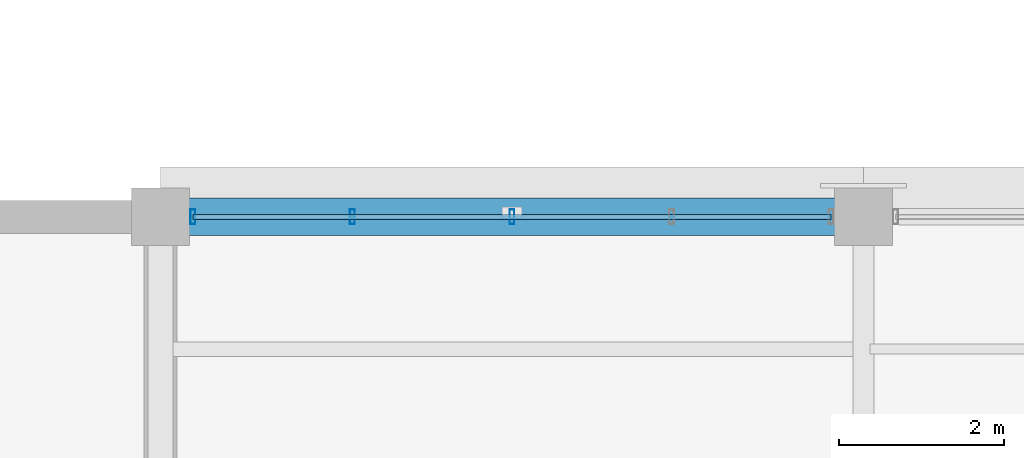
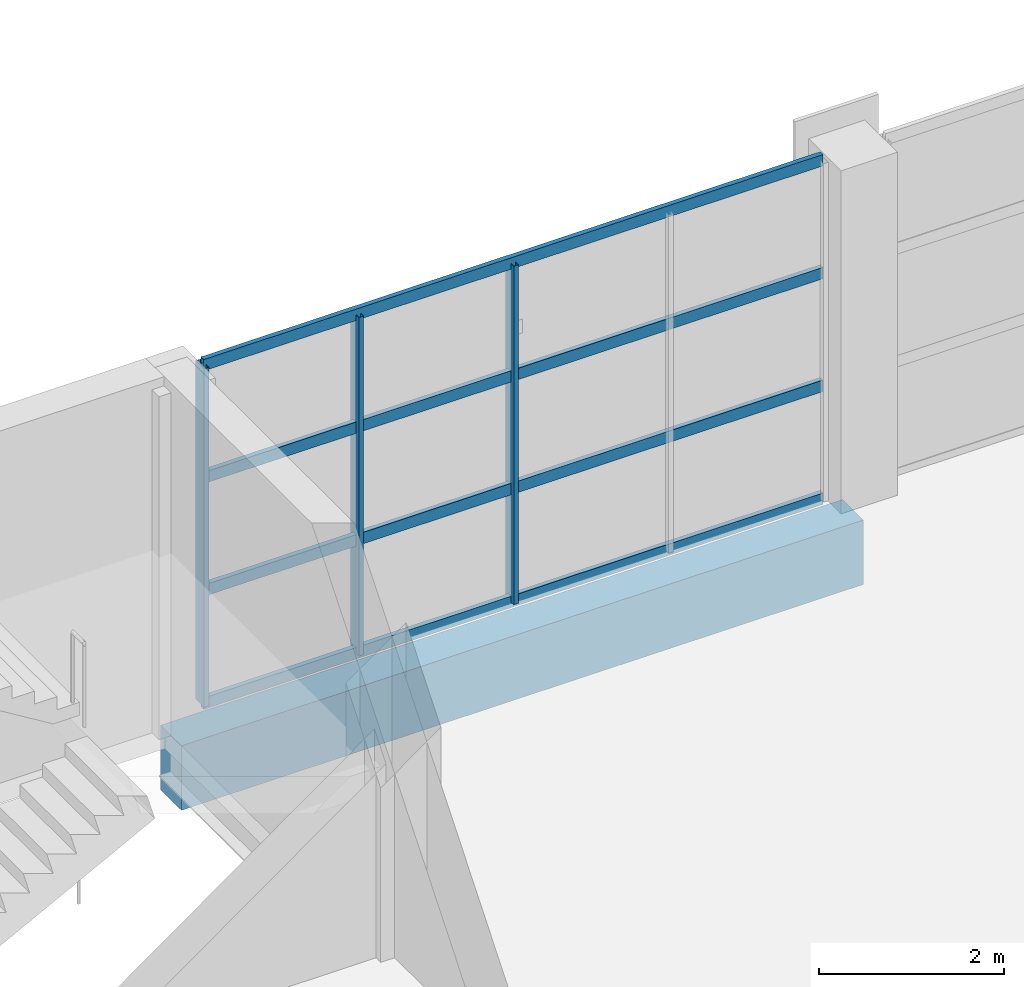
# One storey, part 17 of 101: 7 members, 1 beam, 1 element without a shape of its own.
"""IFC4 building model written with IfcOpenShell, lengths in metres."""

from ifc_helpers import new_model, si_unit, direction, frame, origin, origin_2d, place, context, subcontext, project, spatial, rectangle, hollow_rectangle, extrude, material, material_profile, profile_set, type_object, element, aggregate, save


model = new_model("IFC4")

# Units and contexts
model_context = context("Model", 3, precision=1e-05, world=origin(), true_north=direction((0.0, 1.0)))
body_context = subcontext(model_context, "Body", "Model", "MODEL_VIEW")
ifc_project = project(units=[si_unit("LENGTHUNIT", "METRE"), si_unit("AREAUNIT", "SQUARE_METRE"), si_unit("VOLUMEUNIT", "CUBIC_METRE"), si_unit("PLANEANGLEUNIT", "RADIAN"), si_unit("MASSUNIT", "GRAM", prefix="KILO")], contexts=[model_context])

# Site, building, storey
site_placement = place(None, origin())
site = spatial("IfcSite", under=ifc_project, at=site_placement, CompositionType="ELEMENT")
building_placement = place(site_placement, origin())
building = spatial("IfcBuilding", under=site, at=building_placement, Name="Solvikara Media Centre", CompositionType="ELEMENT")
storey_placement = place(building_placement, frame((0.0, 0.0, 10.199951171875)))
storey = spatial("IfcBuildingStorey", under=building, at=storey_placement, Name="L02", CompositionType="ELEMENT", Elevation=10.199951171875)

# Beam
ifc_material_1 = material(Name="Concrete fc' 35 MPa (C35/45)", Category="concrete")
ifc_material_profile_1 = material_profile(ifc_material_1, rectangle(XDim=0.449951171875, YDim=0.85009765625, at=origin_2d()), Name="RC 450x850")
ifc_profile_set_1 = profile_set([ifc_material_profile_1], Name="Concrete fc' 35 MPa (C35/45)")
beam_type = type_object("IfcBeamType", Name="BM-14", PredefinedType="SPANDREL", material=ifc_profile_set_1)
beam_placement = place(storey_placement, frame((42.5, 36.800048828125, -0.704833984375), z_axis=(1.0, 0.0, 0.0), x_axis=(0.0, 1.0, 0.0)))
element("IfcBeam", 1, at=beam_placement, inside=storey, type_object=beam_type, Name="B-L02-X0860", PredefinedType="SPANDREL", context=body_context, shape_type="SweptSolid", body=[
    extrude(rectangle(XDim=0.449951171875, YDim=0.85009765625, at=origin_2d()), origin(), (0.0, 0.0, 1.0), 8.5),
])

# Curtain wall, members
ifc_material_2 = material(Name="Anodised aluminium EN AW-6063", Category="aluminium")
curtain_wall_type = type_object("IfcCurtainWallType", Name="CW-05", PredefinedType="NOTDEFINED", material=ifc_material_2)
curtain_wall_placement = place(storey_placement, origin())
curtain_wall = element("IfcCurtainWall", 2, at=curtain_wall_placement, inside=storey, type_object=curtain_wall_type, Name="CW-L02-V6N-1", PredefinedType="NOTDEFINED")
ifc_material_profile_2 = material_profile(ifc_material_2, hollow_rectangle(XDim=0.06005859375, YDim=0.179931640625, WallThickness=0.00341796875, at=origin_2d()), Name="ALU-M 60x180x3.5")
ifc_profile_set_2 = profile_set([ifc_material_profile_2], Name="Anodised aluminium EN AW-6063")
member_type_1 = type_object("IfcMemberType", Name="MF-03", PredefinedType="MULLION", material=ifc_profile_set_2)
member_1_placement = place(storey_placement, frame((42.889892578125, 36.800048828125, 0.02001953125), z_axis=(0.0, 0.0, 1.0), x_axis=(1.0, 0.0, 0.0)))
member_1 = element("IfcMember", 3, at=member_1_placement, type_object=member_type_1, Name="CW-L02-V6N-1-M00", PredefinedType="MULLION", context=body_context, shape_type="SweptSolid", body=[
    extrude(hollow_rectangle(XDim=0.06005859375, YDim=0.179931640625, WallThickness=0.00341796875, at=origin_2d()), origin(), (0.0, 0.0, 1.0), 4.4599609375),
])
member_2_placement = place(storey_placement, frame((44.820068359375, 36.800048828125, 0.02001953125), z_axis=(0.0, 0.0, 1.0), x_axis=(1.0, 0.0, 0.0)))
member_2 = element("IfcMember", 4, at=member_2_placement, type_object=member_type_1, Name="CW-L02-V6N-1-M01", PredefinedType="MULLION", context=body_context, shape_type="SweptSolid", body=[
    extrude(hollow_rectangle(XDim=0.06005859375, YDim=0.179931640625, WallThickness=0.00341796875, at=origin_2d()), origin(), (0.0, 0.0, 1.0), 4.4599609375),
])
member_3_placement = place(storey_placement, frame((46.75, 36.800048828125, 0.02001953125), z_axis=(0.0, 0.0, 1.0), x_axis=(1.0, 0.0, 0.0)))
member_3 = element("IfcMember", 5, at=member_3_placement, type_object=member_type_1, Name="CW-L02-V6N-1-M02", PredefinedType="MULLION", context=body_context, shape_type="SweptSolid", body=[
    extrude(hollow_rectangle(XDim=0.06005859375, YDim=0.179931640625, WallThickness=0.00341796875, at=origin_2d()), origin(), (0.0, 0.0, 1.0), 4.4599609375),
])
ifc_material_profile_3 = material_profile(ifc_material_2, hollow_rectangle(XDim=0.06005859375, YDim=0.14990234375, WallThickness=0.0029296875, at=origin_2d()), Name="ALU-T 60x150x3")
ifc_profile_set_3 = profile_set([ifc_material_profile_3], Name="Anodised aluminium EN AW-6063")
member_type_2 = type_object("IfcMemberType", Name="MF-09", PredefinedType="USERDEFINED", material=ifc_profile_set_3)
member_4_placement = place(storey_placement, frame((42.889892578125, 36.800048828125, 0.02001953125), z_axis=(1.0, 0.0, 0.0), x_axis=(0.0, 1.0, 0.0)))
member_4 = element("IfcMember", 6, at=member_4_placement, type_object=member_type_2, Name="CW-L02-V6N-1-T00", ObjectType="TRANSOM", PredefinedType="USERDEFINED", context=body_context, shape_type="SweptSolid", body=[
    extrude(hollow_rectangle(XDim=0.06005859375, YDim=0.14990234375, WallThickness=0.0029296875, at=origin_2d()), origin(), (0.0, 0.0, 1.0), 7.72021484375),
])
member_5_placement = place(storey_placement, frame((42.889892578125, 36.800048828125, 1.507080078125), z_axis=(1.0, 0.0, 0.0), x_axis=(0.0, 1.0, 0.0)))
member_5 = element("IfcMember", 7, at=member_5_placement, type_object=member_type_2, Name="CW-L02-V6N-1-T01", ObjectType="TRANSOM", PredefinedType="USERDEFINED", context=body_context, shape_type="SweptSolid", body=[
    extrude(hollow_rectangle(XDim=0.06005859375, YDim=0.14990234375, WallThickness=0.0029296875, at=origin_2d()), origin(), (0.0, 0.0, 1.0), 7.72021484375),
])
member_6_placement = place(storey_placement, frame((42.889892578125, 36.800048828125, 2.9931640625), z_axis=(1.0, 0.0, 0.0), x_axis=(0.0, 1.0, 0.0)))
member_6 = element("IfcMember", 8, at=member_6_placement, type_object=member_type_2, Name="CW-L02-V6N-1-T02", ObjectType="TRANSOM", PredefinedType="USERDEFINED", context=body_context, shape_type="SweptSolid", body=[
    extrude(hollow_rectangle(XDim=0.06005859375, YDim=0.14990234375, WallThickness=0.0029296875, at=origin_2d()), origin(), (0.0, 0.0, 1.0), 7.72021484375),
])
member_7_placement = place(storey_placement, frame((42.889892578125, 36.800048828125, 4.47998046875), z_axis=(1.0, 0.0, 0.0), x_axis=(0.0, 1.0, 0.0)))
member_7 = element("IfcMember", 9, at=member_7_placement, type_object=member_type_2, Name="CW-L02-V6N-1-T03", ObjectType="TRANSOM", PredefinedType="USERDEFINED", context=body_context, shape_type="SweptSolid", body=[
    extrude(hollow_rectangle(XDim=0.06005859375, YDim=0.14990234375, WallThickness=0.0029296875, at=origin_2d()), origin(), (0.0, 0.0, 1.0), 7.72021484375),
])
aggregate(curtain_wall, [member_1, member_2, member_3, member_4, member_5, member_6, member_7])

save(model, "model.ifc")
